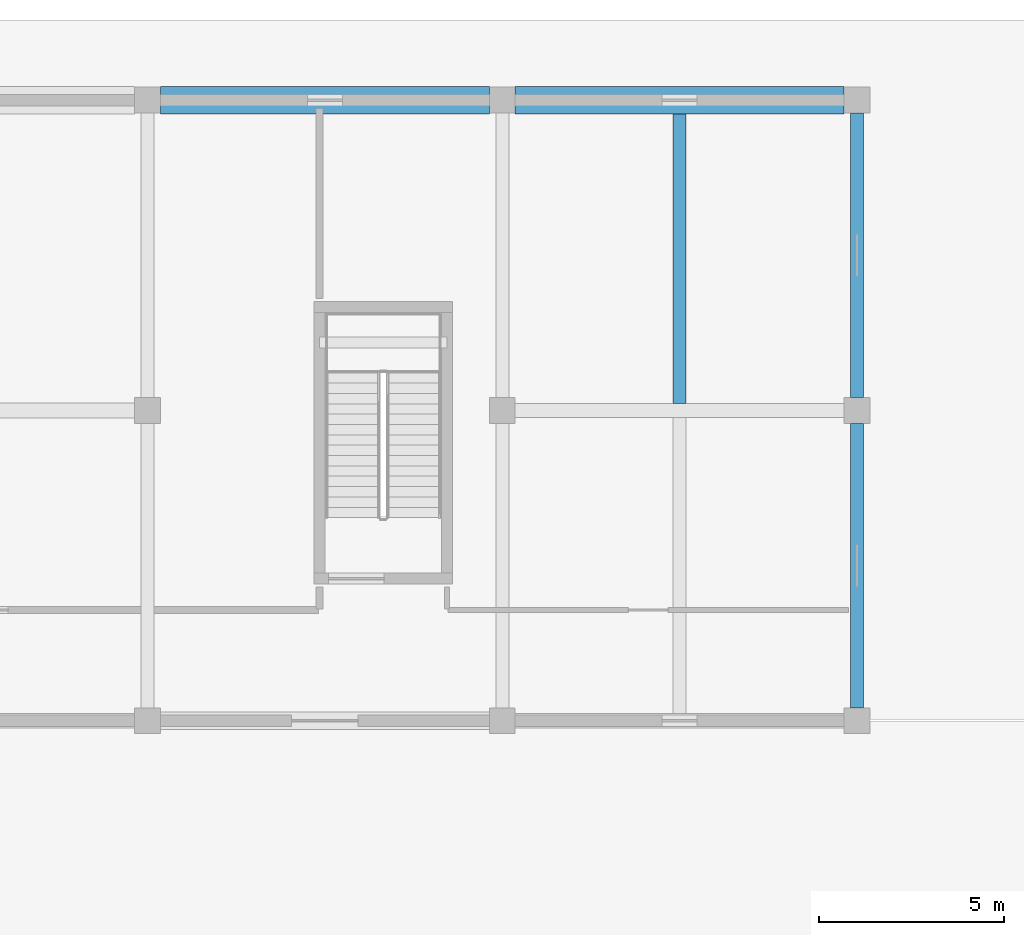
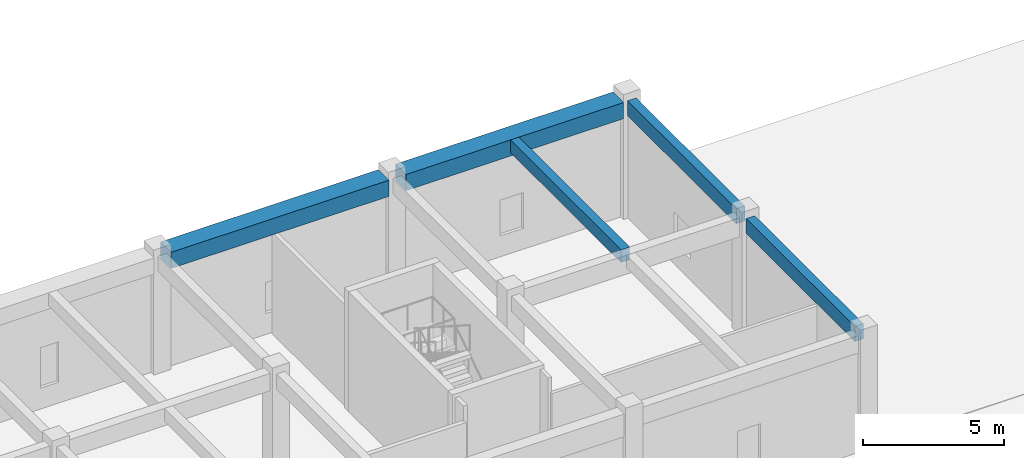
# One storey, part 23 of 70: 5 beams.
"""IFC4 building model written with IfcOpenShell, lengths in metres."""

from ifc_helpers import new_model, si_unit, direction, frame, origin, origin_2d, place, context, subcontext, project, spatial, rectangle, extrude, material, material_profile, profile_set, type_object, element, save


model = new_model("IFC4")

# Units and contexts
model_context = context("Model", 3, precision=1e-05, world=origin(), true_north=direction((0.0, 1.0)))
body_context = subcontext(model_context, "Body", "Model", "MODEL_VIEW")
ifc_project = project(units=[si_unit("LENGTHUNIT", "METRE"), si_unit("AREAUNIT", "SQUARE_METRE"), si_unit("VOLUMEUNIT", "CUBIC_METRE"), si_unit("PLANEANGLEUNIT", "RADIAN"), si_unit("MASSUNIT", "GRAM", prefix="KILO")], contexts=[model_context])

# Site, building, storey
site_placement = place(None, origin())
site = spatial("IfcSite", under=ifc_project, at=site_placement, CompositionType="ELEMENT")
building_placement = place(site_placement, origin())
building = spatial("IfcBuilding", under=site, at=building_placement, Name="Miralva Faculty of Natural Sciences", CompositionType="ELEMENT")
storey_placement = place(building_placement, origin())
storey = spatial("IfcBuildingStorey", under=building, at=storey_placement, Name="L00", CompositionType="ELEMENT", Elevation=0.0)

# Beams
ifc_material = material(Name="Concrete C40/50", Category="concrete")
ifc_material_profile_1 = material_profile(ifc_material, rectangle(XDim=0.35009765625, YDim=0.64990234375, at=origin_2d()), Name="RC 350x650")
ifc_profile_set_1 = profile_set([ifc_material_profile_1], Name="Concrete C40/50")
beam_type_1 = type_object("IfcBeamType", Name="BM-B05", PredefinedType="BEAM", material=ifc_profile_set_1)
for number, where, z_axis, x_axis, name in (
    (1, (84.60009765625, 100.550048828125, 4.7548828125), (0.0, 1.0, 0.0), (-1.0, 0.0, 0.0), "Girder NS L00-173"),
    (2, (84.60009765625, 108.949951171875, 4.7548828125), (0.0, 1.0, 0.0), (-1.0, 0.0, 0.0), "Girder NS L00-174"),
):
    element("IfcBeam", number, at=place(storey_placement, frame(where, z_axis=z_axis, x_axis=x_axis)), inside=storey, type_object=beam_type_1, Name=name, PredefinedType="BEAM", context=body_context, shape_type="SweptSolid", body=[
        extrude(rectangle(XDim=0.35009765625, YDim=0.64990234375, at=origin_2d()), origin(), (0.0, 0.0, 1.0), 7.699951171875),
    ])
ifc_material_profile_2 = material_profile(ifc_material, rectangle(XDim=0.35009765625, YDim=0.550048828125, at=origin_2d()), Name="RC 350x550")
ifc_profile_set_2 = profile_set([ifc_material_profile_2], Name="Concrete C40/50")
beam_type_2 = type_object("IfcBeamType", Name="BM-J04", PredefinedType="JOIST", material=ifc_profile_set_2)
beam_placement = place(storey_placement, frame((79.800048828125, 108.7900390625, 4.804931640625), z_axis=(0.0, 1.0, 0.0), x_axis=(-1.0, 0.0, 0.0)))
element("IfcBeam", 3, at=beam_placement, inside=storey, type_object=beam_type_2, Name="Floor joist L00-59", PredefinedType="JOIST", context=body_context, shape_type="SweptSolid", body=[
    extrude(rectangle(XDim=0.35009765625, YDim=0.550048828125, at=origin_2d()), origin(), (0.0, 0.0, 1.0), 7.8349609375),
])
ifc_material_profile_3 = material_profile(ifc_material, rectangle(XDim=0.75, YDim=0.699951171875, at=origin_2d()), Name="RC 750x700")
ifc_profile_set_3 = profile_set([ifc_material_profile_3], Name="Concrete C40/50")
beam_type_3 = type_object("IfcBeamType", Name="BM-SP01", PredefinedType="SPANDREL", material=ifc_profile_set_3)
for number, where, z_axis, x_axis, name in (
    (4, (65.75, 117.0, 4.72998046875), (1.0, 0.0, 0.0), (0.0, 1.0, 0.0), "Girder EW L00-106"),
    (5, (75.35009765625, 117.0, 4.72998046875), (1.0, 0.0, 0.0), (0.0, 1.0, 0.0), "Girder EW L00-107"),
):
    element("IfcBeam", number, at=place(storey_placement, frame(where, z_axis=z_axis, x_axis=x_axis)), inside=storey, type_object=beam_type_3, Name=name, PredefinedType="SPANDREL", context=body_context, shape_type="SweptSolid", body=[
        extrude(rectangle(XDim=0.75, YDim=0.699951171875, at=origin_2d()), origin(), (0.0, 0.0, 1.0), 8.89990234375),
    ])

save(model, "model.ifc")
